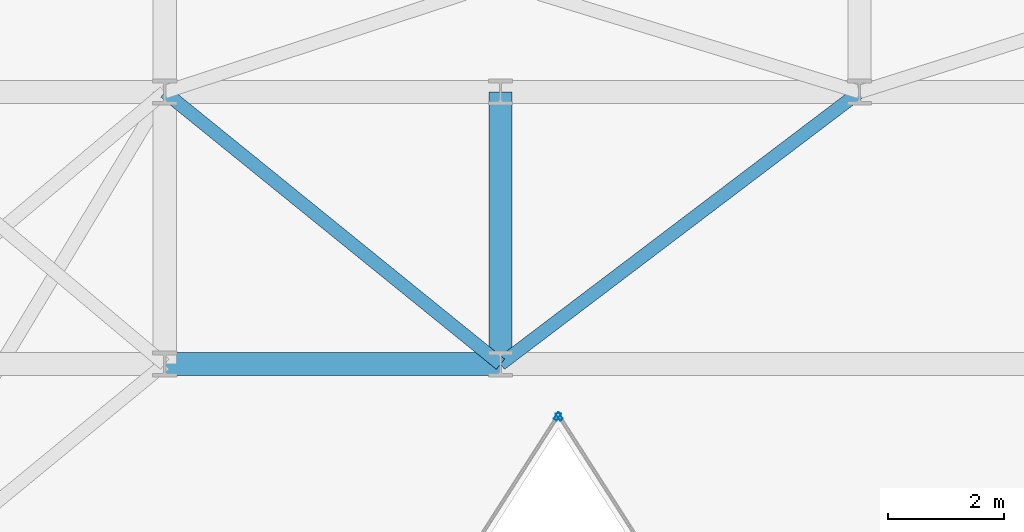
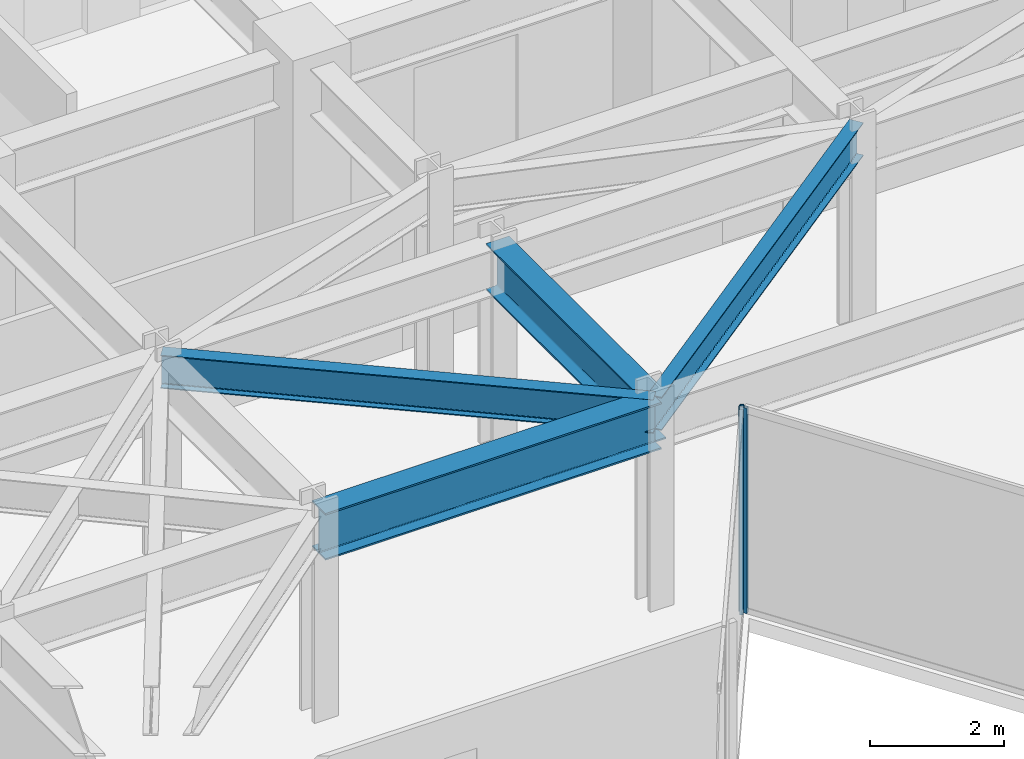
# One storey, part 13 of 26: 4 beams, 2 members, 2 elements without a shape of their own.
"""IFC4 building model written with IfcOpenShell, lengths in metres."""

from ifc_helpers import new_model, si_unit, direction, frame, origin, origin_2d, place, context, subcontext, project, spatial, hollow_rectangle, i_section, extrude, material, layer, layer_set, material_profile, profile_set, type_object, element, aggregate, save


model = new_model("IFC4")

# Units and contexts
model_context = context("Model", 3, precision=1e-05, world=origin(), true_north=direction((0.0, 1.0)))
body_context = subcontext(model_context, "Body", "Model", "MODEL_VIEW")
ifc_project = project(units=[si_unit("LENGTHUNIT", "METRE"), si_unit("AREAUNIT", "SQUARE_METRE"), si_unit("VOLUMEUNIT", "CUBIC_METRE"), si_unit("PLANEANGLEUNIT", "RADIAN"), si_unit("MASSUNIT", "GRAM", prefix="KILO")], contexts=[model_context])

# Site, building, storey
site_placement = place(None, origin())
site = spatial("IfcSite", under=ifc_project, at=site_placement, CompositionType="ELEMENT")
building_placement = place(site_placement, origin())
building = spatial("IfcBuilding", under=site, at=building_placement, Name="Kravanh Interchange Tower", CompositionType="ELEMENT")
storey_placement = place(building_placement, frame((0.0, 0.0, 144.0)))
storey = spatial("IfcBuildingStorey", under=building, at=storey_placement, Name="L34", CompositionType="ELEMENT", Elevation=144.0)

# Curtain wall, member
ifc_material_1 = material(Name="Anodised Bronze Aluminium", Category="aluminium")
ifc_layer = layer(ifc_material_1, 0.179931640625)
ifc_layer_set = layer_set([ifc_layer], Name="Unitised Curtain Wall System CW-Z2 Mid Office")
curtain_wall_type = type_object("IfcCurtainWallType", Name="Unitised Curtain Wall System CW-Z2 Mid Office", PredefinedType="NOTDEFINED", material=ifc_layer_set)
curtain_wall_1_placement = place(storey_placement, origin())
curtain_wall_1 = element("IfcCurtainWall", 1, at=curtain_wall_1_placement, inside=storey, type_object=curtain_wall_type, Name="L34 Unitised Curtain Wall CW-L34-04", PredefinedType="NOTDEFINED")
ifc_material_2 = material(Name="Anodised Bronze Aluminium", Category="aluminium")
ifc_material_profile_1 = material_profile(ifc_material_2, hollow_rectangle(XDim=0.06005859375, YDim=0.139892578125, WallThickness=0.00390625, at=origin_2d()), Name="ALU60X140X4")
ifc_profile_set_1 = profile_set([ifc_material_profile_1], Name="Anodised Bronze Aluminium")
member_type = type_object("IfcMemberType", Name="Curtain Wall Mullion ALU60X140X4 Bronze", PredefinedType="MULLION", material=ifc_profile_set_1)
member_1_placement = place(storey_placement, frame((39.6162109375, 25.897216796875, 0.0), z_axis=(0.0, 0.0, 1.0), x_axis=(-0.841879939476, -0.539664865919, 0.0)))
member_1 = element("IfcMember", 2, at=member_1_placement, type_object=member_type, Name="CW-Z2 mullion 5", PredefinedType="MULLION", context=body_context, shape_type="SweptSolid", body=[
    extrude(hollow_rectangle(XDim=0.06005859375, YDim=0.139892578125, WallThickness=0.00390625, at=origin_2d()), origin(), (0.0, 0.0, 1.0), 3.75),
])
aggregate(curtain_wall_1, [member_1])

curtain_wall_2_placement = place(storey_placement, origin())
curtain_wall_2 = element("IfcCurtainWall", 3, at=curtain_wall_2_placement, inside=storey, type_object=curtain_wall_type, Name="L34 Unitised Curtain Wall CW-L34-05", PredefinedType="NOTDEFINED")
member_2_placement = place(storey_placement, frame((39.583740234375, 25.897216796875, 0.0), z_axis=(0.0, 0.0, 1.0), x_axis=(0.841879939476, -0.539664865919, 0.0)))
member_2 = element("IfcMember", 4, at=member_2_placement, type_object=member_type, Name="CW-Z2 mullion 1", PredefinedType="MULLION", context=body_context, shape_type="SweptSolid", body=[
    extrude(hollow_rectangle(XDim=0.06005859375, YDim=0.139892578125, WallThickness=0.00390625, at=origin_2d()), origin(), (0.0, 0.0, 1.0), 3.75),
])
aggregate(curtain_wall_2, [member_2])

# Beams
ifc_material_3 = material(Name="Structural Steel S355", Category="steel")
ifc_material_profile_2 = material_profile(ifc_material_3, i_section(OverallWidth=0.39990234375, OverallDepth=0.85595703125, WebThickness=0.018310546875, FlangeThickness=0.029296875, FilletRadius=0.02490234375, at=origin_2d()), Name="W33X201")
ifc_profile_set_2 = profile_set([ifc_material_profile_2], Name="Structural Steel S355")
beam_type_1 = type_object("IfcBeamType", Name="Floor Beam W33X201 Structural Steel S355", PredefinedType="BEAM", material=ifc_profile_set_2)
beam_1_placement = place(storey_placement, frame((32.800048828125, 26.800048828125, 3.322021484375), z_axis=(1.0, 0.0, 0.0), x_axis=(0.0, 1.0, 0.0)))
element("IfcBeam", 5, at=beam_1_placement, inside=storey, type_object=beam_type_1, Name="L34 Primary Floor Girder 50", PredefinedType="BEAM", context=body_context, shape_type="SweptSolid", body=[
    extrude(i_section(OverallWidth=0.39990234375, OverallDepth=0.85595703125, WebThickness=0.018310546875, FlangeThickness=0.029296875, FilletRadius=0.02490234375, at=origin_2d()), origin(), (0.0, 0.0, 1.0), 5.800048828125),
])
beam_2_placement = place(storey_placement, frame((38.60009765625, 26.800048828125, 3.322021484375), z_axis=(0.0, 1.0, 0.0), x_axis=(-1.0, 0.0, 0.0)))
element("IfcBeam", 6, at=beam_2_placement, inside=storey, type_object=beam_type_1, Name="L34 Primary Floor Girder 53", PredefinedType="BEAM", context=body_context, shape_type="SweptSolid", body=[
    extrude(i_section(OverallWidth=0.39990234375, OverallDepth=0.85595703125, WebThickness=0.018310546875, FlangeThickness=0.029296875, FilletRadius=0.02490234375, at=origin_2d()), origin(), (0.0, 0.0, 1.0), 4.699951171875),
])
ifc_material_4 = material(Name="Structural Steel S355", Category="steel")
ifc_material_profile_3 = material_profile(ifc_material_4, i_section(OverallWidth=0.22802734375, OverallDepth=0.60791015625, WebThickness=0.01123046875, FlangeThickness=0.017333984375, FilletRadius=0.02197265625, at=origin_2d()), Name="W24X76")
ifc_profile_set_3 = profile_set([ifc_material_profile_3], Name="Structural Steel S355")
beam_type_2 = type_object("IfcBeamType", Name="Floor Spandrel W24X76 Structural Steel S355", PredefinedType="SPANDREL", material=ifc_profile_set_3)
beam_3_placement = place(storey_placement, frame((38.60009765625, 26.800048828125, 3.446044921875), z_axis=(-0.776938619557, 0.629576350764, 0.0), x_axis=(-0.629576350764, -0.776938619557, 0.0)))
element("IfcBeam", 7, at=beam_3_placement, inside=storey, type_object=beam_type_2, Name="L34 Perimeter Spandrel 54", PredefinedType="SPANDREL", context=body_context, shape_type="SweptSolid", body=[
    extrude(i_section(OverallWidth=0.22802734375, OverallDepth=0.60791015625, WebThickness=0.01123046875, FlangeThickness=0.017333984375, FilletRadius=0.02197265625, at=origin_2d()), origin(), (0.0, 0.0, 1.0), 7.46533203125),
])
beam_4_placement = place(storey_placement, frame((38.60009765625, 26.800048828125, 3.446044921875), z_axis=(0.796905365509, 0.604104161898, 0.0), x_axis=(-0.604104161898, 0.796905365509, 0.0)))
element("IfcBeam", 8, at=beam_4_placement, inside=storey, type_object=beam_type_2, Name="L34 Perimeter Spandrel 55", PredefinedType="SPANDREL", context=body_context, shape_type="SweptSolid", body=[
    extrude(i_section(OverallWidth=0.22802734375, OverallDepth=0.60791015625, WebThickness=0.01123046875, FlangeThickness=0.017333984375, FilletRadius=0.02197265625, at=origin_2d()), origin(), (0.0, 0.0, 1.0), 7.780029296875),
])

save(model, "model.ifc")
